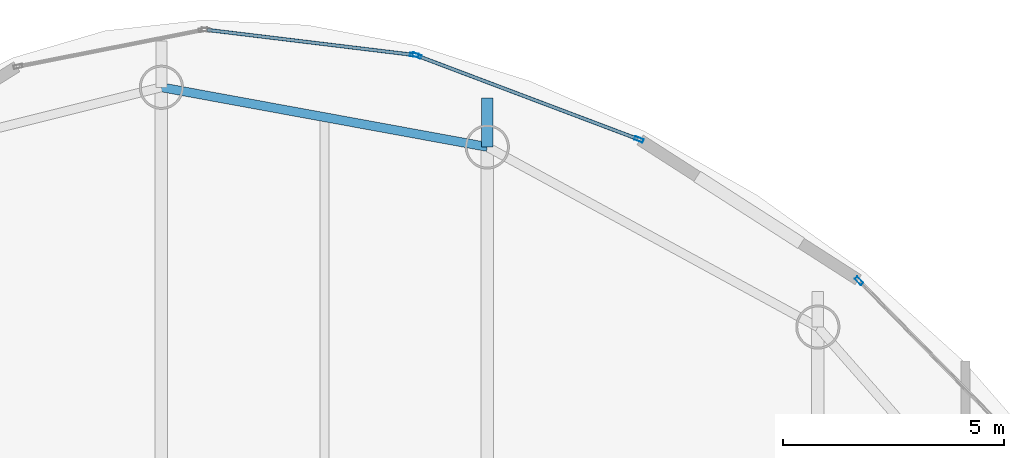
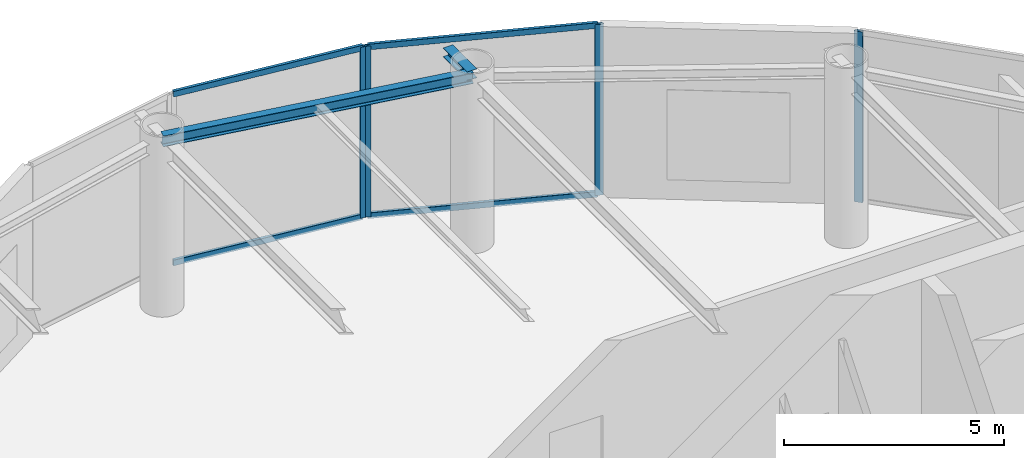
# One storey, part 15 of 23: 8 members, 2 beams, 3 elements without a shape of their own.
"""IFC4 building model written with IfcOpenShell, lengths in metres."""

import ifcopenshell
import ifcopenshell.guid

model = None  # the IFC model being written
_history = None  # IfcOwnerHistory: only IFC2X3 demands one
_inside = {}  # id of a spatial element -> (the spatial element, [elements in it])
_under = {}  # id of a project, library or spatial element -> (it, [spatial elements below it])
_declared = {}  # id of a project -> (the project, [libraries it declares])
_typed = {}  # id of a type object -> (the type object, [elements of that type])
_made_of = {}  # id of a material, layer set ... -> (it, [elements and type objects made of it])


def new_model(schema):
    """Start an empty IFC model of exactly this schema.

    Asked for "IFC4X3", IfcOpenShell would pick the latest addendum, in which some entities
    have other attributes; the version numbers below select the first issue.
    IFC2X3 requires an IfcOwnerHistory on every rooted entity: one is made here for all.
    """
    global model, _history
    if schema == "IFC4X3":
        model = ifcopenshell.file(schema_version=(4, 3, 0, 0))
    else:
        model = ifcopenshell.file(schema=schema)
    _inside.clear()
    _under.clear()
    _declared.clear()
    _typed.clear()
    _made_of.clear()
    _history = None
    if model.schema == "IFC2X3":
        org = make("IfcOrganization", Name="unknown")
        user = make(
            "IfcPersonAndOrganization",
            ThePerson=make("IfcPerson", FamilyName="unknown"),
            TheOrganization=org,
        )
        app = make(
            "IfcApplication",
            ApplicationDeveloper=org,
            Version="unknown",
            ApplicationFullName="unknown",
            ApplicationIdentifier="unknown",
        )
        _history = make(
            "IfcOwnerHistory",
            OwningUser=user,
            OwningApplication=app,
            ChangeAction="ADDED",
            CreationDate=0,
        )
    return model


def make(cls, **values):
    """One entity of the class cls with the attributes given. An attribute that is None is left unset."""
    return model.create_entity(
        cls, **{name: value for name, value in values.items() if value is not None}
    )


def rooted(cls, **values):
    """An entity with a GlobalId (a new one), such as an element, a storey or a relation."""
    return make(cls, GlobalId=ifcopenshell.guid.new(), OwnerHistory=_history, **values)


def si_unit(unit_type, name, prefix=None):
    """IfcSIUnit, for example si_unit("LENGTHUNIT", "METRE", prefix="MILLI")."""
    return make("IfcSIUnit", UnitType=unit_type, Prefix=prefix, Name=name)


def assignment(units):
    """IfcUnitAssignment: the units of a project."""
    return None if units is None else make("IfcUnitAssignment", Units=units)


def point(xyz):
    """IfcCartesianPoint."""
    return None if xyz is None else make("IfcCartesianPoint", Coordinates=xyz)


def direction(xyz):
    """IfcDirection."""
    return None if xyz is None else make("IfcDirection", DirectionRatios=xyz)


def frame(location, z_axis=None, x_axis=None):
    """IfcAxis2Placement3D, a coordinate frame: its origin and axes. An axis left out is left unset."""
    return make(
        "IfcAxis2Placement3D",
        Location=point(location),
        Axis=direction(z_axis),
        RefDirection=direction(x_axis),
    )


def frame_2d(location, x_axis=None):
    """IfcAxis2Placement2D, a coordinate frame in the plane: its origin and x axis."""
    return make(
        "IfcAxis2Placement2D", Location=point(location), RefDirection=direction(x_axis)
    )


def origin():
    """The frame at (0, 0, 0) with its axes left unset."""
    return frame((0.0, 0.0, 0.0))


def origin_2d():
    """The frame at (0, 0) in the plane with its x axis left unset."""
    return frame_2d((0.0, 0.0))


def place(relative_to, where):
    """IfcLocalPlacement: puts the frame where relative to a parent placement (None: the world)."""
    return make(
        "IfcLocalPlacement", PlacementRelTo=relative_to, RelativePlacement=where
    )


def context(
    kind, dimensions, precision=None, world=None, true_north=None, identifier=None
):
    """IfcGeometricRepresentationContext, for example the 3D "Model" context."""
    return make(
        "IfcGeometricRepresentationContext",
        ContextIdentifier=identifier,
        ContextType=kind,
        CoordinateSpaceDimension=dimensions,
        Precision=precision,
        WorldCoordinateSystem=world,
        TrueNorth=true_north,
    )


def subcontext(parent, identifier, kind, view, scale=None):
    """IfcGeometricRepresentationSubContext, for example "Body" below "Model"."""
    return make(
        "IfcGeometricRepresentationSubContext",
        ContextIdentifier=identifier,
        ContextType=kind,
        ParentContext=parent,
        TargetScale=scale,
        TargetView=view,
    )


def project(units=None, contexts=None):
    """IfcProject with its units and contexts."""
    return rooted(
        "IfcProject",
        Name="project",
        RepresentationContexts=contexts,
        UnitsInContext=assignment(units),
    )


def spatial(cls, under=None, at=None, **own):
    """A site, building, storey or space (cls), placed at a placement, below another one or the project."""
    s = rooted(cls, ObjectPlacement=at, **own)
    if under is not None:
        _under.setdefault(under.id(), (under, []))[1].append(s)
    return s


def profile(cls, at=None, kind="AREA", **sizes):
    """A parametric profile (cls). Its sizes go by their IFC names, for example OverallWidth=200.0."""
    return make(cls, ProfileType=kind, Position=at, **sizes)


def hollow_rectangle(**sizes):
    """IfcRectangleHollowProfileDef."""
    return profile("IfcRectangleHollowProfileDef", **sizes)


def i_section(**sizes):
    """IfcIShapeProfileDef."""
    return profile("IfcIShapeProfileDef", **sizes)


def extrude(swept, where, along, depth):
    """IfcExtrudedAreaSolid: the profile swept, set in the frame where, extruded along a direction by depth."""
    return make(
        "IfcExtrudedAreaSolid",
        SweptArea=swept,
        Position=where,
        ExtrudedDirection=direction(along),
        Depth=depth,
    )


def shape(context_of_items, identifier, shape_type, items):
    """IfcShapeRepresentation: the items that make up one representation, for example the "Body"."""
    return make(
        "IfcShapeRepresentation",
        ContextOfItems=context_of_items,
        RepresentationIdentifier=identifier,
        RepresentationType=shape_type,
        Items=items,
    )


def material(Name=None, Category=None):
    """IfcMaterial."""
    return make("IfcMaterial", Name=Name, Category=Category)


def layer(
    of_material, thickness, ventilated=None, Name=None, Category=None, Priority=None
):
    """IfcMaterialLayer: one layer of a wall or slab, of a material (None: an air gap)."""
    return make(
        "IfcMaterialLayer",
        Material=of_material,
        LayerThickness=thickness,
        IsVentilated=ventilated,
        Name=Name,
        Category=Category,
        Priority=Priority,
    )


def layer_set(layers, Name=None):
    """IfcMaterialLayerSet."""
    return make("IfcMaterialLayerSet", MaterialLayers=layers, LayerSetName=Name)


def material_profile(
    of_material, cross_section, Name=None, Category=None, Priority=None
):
    """IfcMaterialProfile: a cross section and its material."""
    return make(
        "IfcMaterialProfile",
        Name=Name,
        Material=of_material,
        Profile=cross_section,
        Priority=Priority,
        Category=Category,
    )


def profile_set(profiles, Name=None, composite=None):
    """IfcMaterialProfileSet."""
    return make(
        "IfcMaterialProfileSet",
        Name=Name,
        MaterialProfiles=profiles,
        CompositeProfile=composite,
    )


def made_of(thing, what):
    """Note that an element or type object is made of a material, layer set ...; save() writes the relation."""
    if what is not None:
        _made_of.setdefault(what.id(), (what, []))[1].append(thing)
    return thing


def type_object(cls, material=None, **own):
    """A type object (cls), such as IfcWallType, which elements share."""
    return made_of(rooted(cls, **own), material)


def element(
    cls,
    number,
    at=None,
    inside=None,
    cuts=None,
    type_object=None,
    material=None,
    context=None,
    identifier="Body",
    shape_type=None,
    held_by="IfcProductDefinitionShape",
    body=None,
    shapes=None,
    **own,
):
    """One element of the class cls, such as IfcWall. Its Tag is "e" and its number.

    at: its placement. inside: the storey or other place that contains it. cuts: it is an
    opening in that element (IfcRelVoidsElement). A single representation is given by context,
    identifier, shape_type and body (its items); several are given by shapes. held_by: the class
    of the entity that holds the representations. save() writes the other relations.
    """
    e = rooted(cls, Tag="e%d" % number, ObjectPlacement=at, **own)
    if body is not None:
        shapes = [shape(context, identifier, shape_type, body)]
    if shapes is not None:
        e.Representation = make(held_by, Representations=shapes)
    if inside is not None:
        _inside.setdefault(inside.id(), (inside, []))[1].append(e)
    if cuts is not None:
        rooted(
            "IfcRelVoidsElement", RelatingBuildingElement=cuts, RelatedOpeningElement=e
        )
    if type_object is not None:
        _typed.setdefault(type_object.id(), (type_object, []))[1].append(e)
    return made_of(e, material)


def aggregate(whole, parts):
    """IfcRelAggregates: a whole, such as a stair, and the parts it consists of."""
    return rooted("IfcRelAggregates", RelatingObject=whole, RelatedObjects=parts)


def save(model, path):
    """Write the relations noted so far, then the file.

    IfcRelAggregates (storeys below a building ...), IfcRelContainedInSpatialStructure (elements
    in a storey), IfcRelDefinesByType, IfcRelAssociatesMaterial and IfcRelDeclares: one each for
    every whole, place, type object, material and project.
    """
    for whole, parts in _under.values():
        aggregate(whole, parts)
    for where, things in _inside.values():
        rooted(
            "IfcRelContainedInSpatialStructure",
            RelatedElements=things,
            RelatingStructure=where,
        )
    for kind, things in _typed.values():
        rooted("IfcRelDefinesByType", RelatedObjects=things, RelatingType=kind)
    for what, things in _made_of.values():
        rooted("IfcRelAssociatesMaterial", RelatedObjects=things, RelatingMaterial=what)
    for by, libraries in _declared.values():
        rooted("IfcRelDeclares", RelatingContext=by, RelatedDefinitions=libraries)
    model.write(path)


model = new_model("IFC4")

# Units and contexts
model_context = context("Model", 3, precision=1e-05, world=origin(), true_north=direction((0.0, 1.0)))
body_context = subcontext(model_context, "Body", "Model", "MODEL_VIEW")
ifc_project = project(units=[si_unit("LENGTHUNIT", "METRE"), si_unit("AREAUNIT", "SQUARE_METRE"), si_unit("VOLUMEUNIT", "CUBIC_METRE"), si_unit("PLANEANGLEUNIT", "RADIAN"), si_unit("MASSUNIT", "GRAM", prefix="KILO")], contexts=[model_context])

# Site, building, storey
site_placement = place(None, origin())
site = spatial("IfcSite", under=ifc_project, at=site_placement, CompositionType="ELEMENT")
building_placement = place(site_placement, origin())
building = spatial("IfcBuilding", under=site, at=building_placement, Name="Bramvorn Convention Spire", CompositionType="ELEMENT")
storey_placement = place(building_placement, frame((0.0, 0.0, 307.5)))
storey = spatial("IfcBuildingStorey", under=building, at=storey_placement, Name="L78", CompositionType="ELEMENT", Elevation=307.5)

# Beams
ifc_material_1 = material(Name="Steel CSA G40.21 Grade 350 (350W)", Category="steel")
ifc_material_profile_1 = material_profile(ifc_material_1, i_section(OverallWidth=0.25390625, OverallDepth=0.2529296875, WebThickness=0.008544921875, FlangeThickness=0.01416015625, FilletRadius=0.011962890625, at=origin_2d()))
ifc_profile_set_1 = profile_set([ifc_material_profile_1], Name="Steel CSA G40.21 Grade 350 (350W) - W250X73")
beam_type_1 = type_object("IfcBeamType", Name="BM-W250X73", PredefinedType="BEAM", material=ifc_profile_set_1)
beam_1_placement = place(storey_placement, frame((40.1845703125, 45.55078125, 4.62353515625), z_axis=(0.0, 1.0, 0.0), x_axis=(-1.0, 0.0, 0.0)))
element("IfcBeam", 1, at=beam_1_placement, inside=storey, type_object=beam_type_1, Name="L78 slab-edge cantilever tip beam MC07", PredefinedType="BEAM", context=body_context, shape_type="SweptSolid", body=[
    extrude(i_section(OverallWidth=0.25390625, OverallDepth=0.2529296875, WebThickness=0.008544921875, FlangeThickness=0.01416015625, FilletRadius=0.011962890625, at=origin_2d()), origin(), (0.0, 0.0, 1.0), 1.102294921875),
])
ifc_material_profile_2 = material_profile(ifc_material_1, i_section(OverallWidth=0.202880859375, OverallDepth=0.302978515625, WebThickness=0.007568359375, FlangeThickness=0.01318359375, FilletRadius=0.013916015625, at=origin_2d()))
ifc_profile_set_2 = profile_set([ifc_material_profile_2], Name="Steel CSA G40.21 Grade 350 (350W) - W310X60")
beam_type_2 = type_object("IfcBeamType", Name="BM-W310X60", PredefinedType="JOIST", material=ifc_profile_set_2)
beam_2_placement = place(storey_placement, frame((40.1845703125, 45.55078125, 4.598388671875), z_axis=(-0.983645049461, 0.180117785547, 0.0), x_axis=(-0.180117785547, -0.983645049461, 0.0)))
element("IfcBeam", 2, at=beam_2_placement, inside=storey, type_object=beam_type_2, Name="L78 mega-column ring beam 07", PredefinedType="JOIST", context=body_context, shape_type="SweptSolid", body=[
    extrude(i_section(OverallWidth=0.202880859375, OverallDepth=0.302978515625, WebThickness=0.007568359375, FlangeThickness=0.01318359375, FilletRadius=0.013916015625, at=origin_2d()), origin(), (0.0, 0.0, 1.0), 7.49560546875),
])

# Curtain wall, member
ifc_material_2 = material(Name="Anodised Bronze Unitised Curtain Wall", Category="aluminium")
ifc_layer = layer(ifc_material_2, 0.199951171875)
ifc_layer_set = layer_set([ifc_layer], Name="Anodised Bronze Unitised Curtain Wall - CW-PLANT-LOUVRE")
curtain_wall_type = type_object("IfcCurtainWallType", Name="CW-PLANT-LOUVRE", PredefinedType="USERDEFINED", material=ifc_layer_set)
curtain_wall_1_placement = place(storey_placement, origin())
curtain_wall_1 = element("IfcCurtainWall", 3, at=curtain_wall_1_placement, inside=storey, type_object=curtain_wall_type, Name="L78 fritted glass curtain wall 08", ObjectType="UNITISED CURTAIN WALL", PredefinedType="USERDEFINED")
ifc_material_3 = material(Name="Anodised Bronze Aluminium 6063-T6", Category="aluminium")
ifc_material_profile_3 = material_profile(ifc_material_3, hollow_rectangle(XDim=0.080078125, YDim=0.199951171875, WallThickness=0.00390625, InnerFilletRadius=0.0009765625, OuterFilletRadius=0.00390625, at=origin_2d()))
ifc_profile_set_3 = profile_set([ifc_material_profile_3], Name="Anodised Bronze Aluminium 6063-T6 - CWM80X200")
member_type_1 = type_object("IfcMemberType", Name="CW-MUL-180", PredefinedType="MULLION", material=ifc_profile_set_3)
member_1_placement = place(storey_placement, frame((48.596923828125, 42.523681640625, 0.0), z_axis=(0.0, 0.0, 1.0), x_axis=(0.713709175592, 0.700442155125, 0.0)))
member_1 = element("IfcMember", 4, at=member_1_placement, type_object=member_type_1, Name="CW5 mullion 1", PredefinedType="MULLION", context=body_context, shape_type="SweptSolid", body=[
    extrude(hollow_rectangle(XDim=0.080078125, YDim=0.199951171875, WallThickness=0.00390625, InnerFilletRadius=0.0009765625, OuterFilletRadius=0.00390625, at=origin_2d()), origin(), (0.0, 0.0, 1.0), 4.75),
])
aggregate(curtain_wall_1, [member_1])

# Curtain wall, members
curtain_wall_2_placement = place(storey_placement, origin())
curtain_wall_2 = element("IfcCurtainWall", 5, at=curtain_wall_2_placement, inside=storey, type_object=curtain_wall_type, Name="L78 fritted glass curtain wall 10", ObjectType="UNITISED CURTAIN WALL", PredefinedType="USERDEFINED")
member_2_placement = place(storey_placement, frame((38.59228515625, 47.6171875, 0.0), z_axis=(0.0, 0.0, 1.0), x_axis=(0.353264772427, 0.935523383226, 0.0)))
member_2 = element("IfcMember", 6, at=member_2_placement, type_object=member_type_1, Name="CW5 mullion 1", PredefinedType="MULLION", context=body_context, shape_type="SweptSolid", body=[
    extrude(hollow_rectangle(XDim=0.080078125, YDim=0.199951171875, WallThickness=0.00390625, InnerFilletRadius=0.0009765625, OuterFilletRadius=0.00390625, at=origin_2d()), origin(), (0.0, 0.0, 1.0), 4.75),
])
member_3_placement = place(storey_placement, frame((43.614013671875, 45.720947265625, 0.0), z_axis=(0.0, 0.0, 1.0), x_axis=(0.353264772427, 0.935523383226, 0.0)))
member_3 = element("IfcMember", 7, at=member_3_placement, type_object=member_type_1, Name="CW5 mullion 2", PredefinedType="MULLION", context=body_context, shape_type="SweptSolid", body=[
    extrude(hollow_rectangle(XDim=0.080078125, YDim=0.199951171875, WallThickness=0.00390625, InnerFilletRadius=0.0009765625, OuterFilletRadius=0.00390625, at=origin_2d()), origin(), (0.0, 0.0, 1.0), 4.75),
])

# Curtain wall, member
curtain_wall_3_placement = place(storey_placement, origin())
curtain_wall_3 = element("IfcCurtainWall", 8, at=curtain_wall_3_placement, inside=storey, type_object=curtain_wall_type, Name="L78 fritted glass curtain wall 11", ObjectType="UNITISED CURTAIN WALL", PredefinedType="USERDEFINED")
member_4_placement = place(storey_placement, frame((38.534423828125, 47.63134765625, 0.0), z_axis=(0.0, 0.0, 1.0), x_axis=(0.120193547798, 0.992750477747, 0.0)))
member_4 = element("IfcMember", 9, at=member_4_placement, type_object=member_type_1, Name="CW5 mullion 2", PredefinedType="MULLION", context=body_context, shape_type="SweptSolid", body=[
    extrude(hollow_rectangle(XDim=0.080078125, YDim=0.199951171875, WallThickness=0.00390625, InnerFilletRadius=0.0009765625, OuterFilletRadius=0.00390625, at=origin_2d()), origin(), (0.0, 0.0, 1.0), 4.75),
])

# Member
ifc_material_profile_4 = material_profile(ifc_material_3, hollow_rectangle(XDim=0.080078125, YDim=0.159912109375, WallThickness=0.00390625, InnerFilletRadius=0.0009765625, OuterFilletRadius=0.00390625, at=origin_2d()))
ifc_profile_set_4 = profile_set([ifc_material_profile_4], Name="Anodised Bronze Aluminium 6063-T6 - CWT80X160")
member_type_2 = type_object("IfcMemberType", Name="CW-TRN-150", PredefinedType="USERDEFINED", material=ifc_profile_set_4)
member_5_placement = place(storey_placement, frame((38.620361328125, 47.606689453125, 0.030029296875), z_axis=(0.935527163071, -0.353254762397, 0.0), x_axis=(0.353254762397, 0.935527163071, 0.0)))
member_5 = element("IfcMember", 10, at=member_5_placement, type_object=member_type_2, Name="CW5 transom 1.1", ObjectType="TRANSOM", PredefinedType="USERDEFINED", context=body_context, shape_type="SweptSolid", body=[
    extrude(hollow_rectangle(XDim=0.080078125, YDim=0.159912109375, WallThickness=0.00390625, InnerFilletRadius=0.0009765625, OuterFilletRadius=0.00390625, at=origin_2d()), origin(), (0.0, 0.0, 1.0), 5.307861328125),
])

member_6_placement = place(storey_placement, frame((38.620361328125, 47.606689453125, 4.719970703125), z_axis=(0.935527163071, -0.353254762397, 0.0), x_axis=(0.353254762397, 0.935527163071, 0.0)))
member_6 = element("IfcMember", 11, at=member_6_placement, type_object=member_type_2, Name="CW5 transom 1.2", ObjectType="TRANSOM", PredefinedType="USERDEFINED", context=body_context, shape_type="SweptSolid", body=[
    extrude(hollow_rectangle(XDim=0.080078125, YDim=0.159912109375, WallThickness=0.00390625, InnerFilletRadius=0.0009765625, OuterFilletRadius=0.00390625, at=origin_2d()), origin(), (0.0, 0.0, 1.0), 5.307861328125),
])

aggregate(curtain_wall_2, [member_2, member_3, member_5, member_6])

member_7_placement = place(storey_placement, frame((33.84814453125, 48.19873046875, 0.030029296875), z_axis=(0.992751670634, -0.12018369462, 0.0), x_axis=(0.12018369462, 0.992751670634, 0.0)))
member_7 = element("IfcMember", 12, at=member_7_placement, type_object=member_type_2, Name="CW5 transom 1.1", ObjectType="TRANSOM", PredefinedType="USERDEFINED", context=body_context, shape_type="SweptSolid", body=[
    extrude(hollow_rectangle(XDim=0.080078125, YDim=0.159912109375, WallThickness=0.00390625, InnerFilletRadius=0.0009765625, OuterFilletRadius=0.00390625, at=origin_2d()), origin(), (0.0, 0.0, 1.0), 4.6904296875),
])

member_8_placement = place(storey_placement, frame((33.84814453125, 48.19873046875, 4.719970703125), z_axis=(0.992751670634, -0.12018369462, 0.0), x_axis=(0.12018369462, 0.992751670634, 0.0)))
member_8 = element("IfcMember", 13, at=member_8_placement, type_object=member_type_2, Name="CW5 transom 1.2", ObjectType="TRANSOM", PredefinedType="USERDEFINED", context=body_context, shape_type="SweptSolid", body=[
    extrude(hollow_rectangle(XDim=0.080078125, YDim=0.159912109375, WallThickness=0.00390625, InnerFilletRadius=0.0009765625, OuterFilletRadius=0.00390625, at=origin_2d()), origin(), (0.0, 0.0, 1.0), 4.6904296875),
])

aggregate(curtain_wall_3, [member_4, member_7, member_8])

save(model, "model.ifc")
